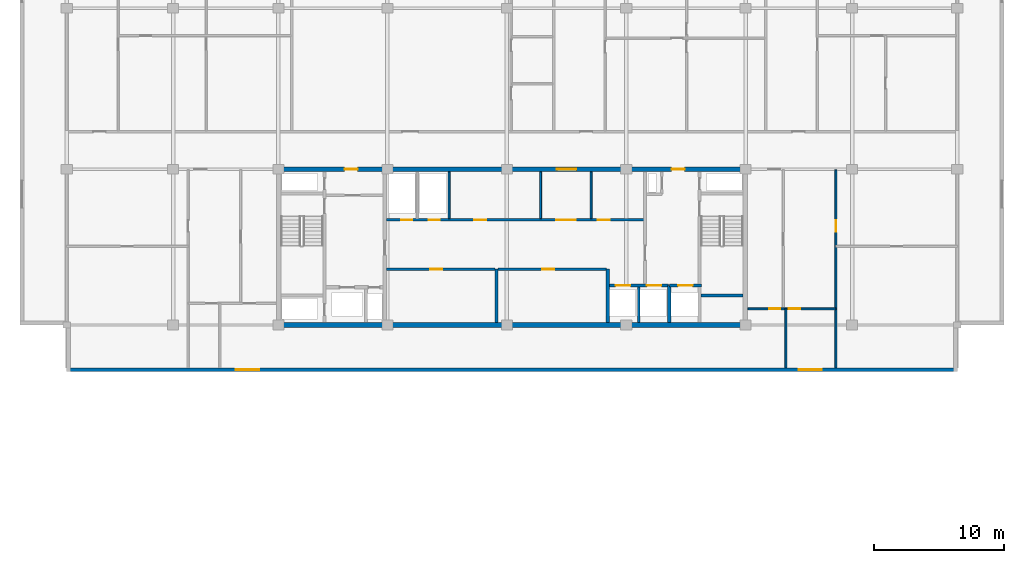
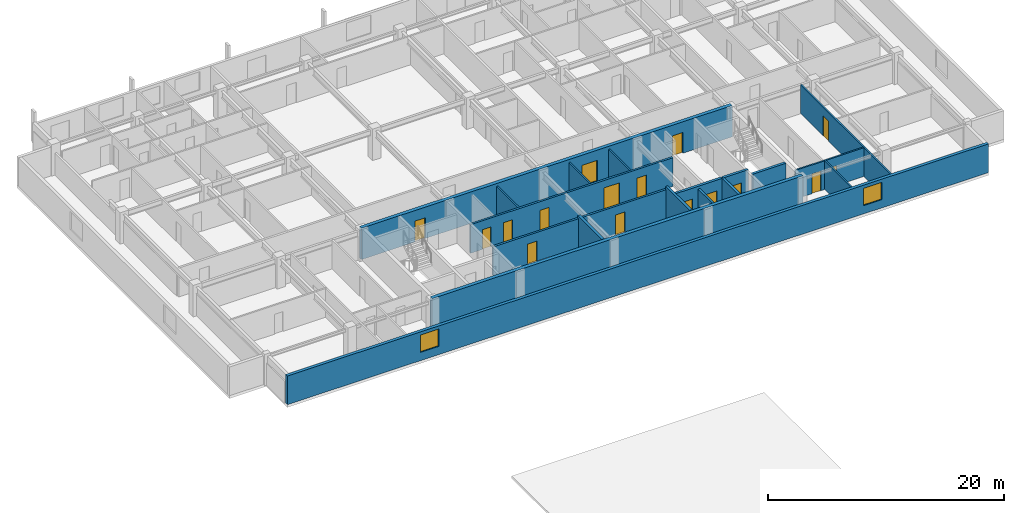
# One storey, part 4 of 11: 19 walls, 16 doors, 2 windows, 18 openings.
"""IFC4 building model written with IfcOpenShell, lengths in metres."""

from ifc_helpers import new_model, si_unit, direction, frame, frame_2d, origin, place, context, subcontext, project, spatial, rectangle, extrude, material, layer, layer_set, type_object, element, fill, save


model = new_model("IFC4")

# Units and contexts
model_context = context("Model", 3, precision=1e-05, world=origin(), true_north=direction((0.0, 1.0)))
body_context = subcontext(model_context, "Body", "Model", "MODEL_VIEW")
ifc_project = project(units=[si_unit("LENGTHUNIT", "METRE"), si_unit("AREAUNIT", "SQUARE_METRE"), si_unit("VOLUMEUNIT", "CUBIC_METRE"), si_unit("PLANEANGLEUNIT", "RADIAN"), si_unit("MASSUNIT", "GRAM", prefix="KILO")], contexts=[model_context])

# Site, building, storey
site_placement = place(None, origin())
site = spatial("IfcSite", under=ifc_project, at=site_placement, CompositionType="ELEMENT")
building_placement = place(site_placement, origin())
building = spatial("IfcBuilding", under=site, at=building_placement, Name="Korimba Cascade Residences", CompositionType="ELEMENT")
storey_placement = place(building_placement, frame((0.0, 0.0, 217.35009765625)))
storey = spatial("IfcBuildingStorey", under=building, at=storey_placement, Name="L63", CompositionType="ELEMENT", Elevation=217.35009765625)

# Wall, openings, windows
ifc_material_1 = material(Name="Precast concrete C40/50", Category="concrete")
ifc_layer_1 = layer(ifc_material_1, 0.300048828125)
ifc_layer_set_1 = layer_set([ifc_layer_1], Name="Precast concrete C40/50")
wall_type_1 = type_object("IfcWallType", Name="EW-STONE-300", PredefinedType="STANDARD", material=ifc_layer_set_1)
wall_1_placement = place(storey_placement, frame((59.800048828125, 51.75, 0.0), z_axis=(0.0, 0.0, 1.0), x_axis=(1.0, 0.0, 0.0)))
wall_1 = element("IfcWall", 1, at=wall_1_placement, inside=storey, type_object=wall_type_1, Name="L63 T1 Perimeter Stone Wall E00", PredefinedType="STANDARD", context=body_context, shape_type="SweptSolid", body=[
    extrude(rectangle(XDim=68.599853515625, YDim=0.300048828125, at=frame_2d((34.2998046875, 0.0))), origin(), (0.0, 0.0, 1.0), 2.969970703125),
])
opening_1_placement = place(wall_1_placement, frame((13.02490234375, 0.0, 0.85009765625)))
opening_1 = element("IfcOpeningElement", 2, at=opening_1_placement, cuts=wall_1, Name="Opening W-02", PredefinedType="OPENING", context=body_context, shape_type="SweptSolid", body=[
    extrude(rectangle(XDim=1.800048828125, YDim=1.800048828125, at=frame_2d((0.89990234375, 0.89990234375))), frame((0.0, 0.16015625, 0.0), z_axis=(0.0, -1.0, 0.0), x_axis=(1.0, 0.0, 0.0)), (0.0, 0.0, 1.0), 0.320068359375),
])
opening_2_placement = place(wall_1_placement, frame((56.375, 0.0, 0.85009765625)))
opening_2 = element("IfcOpeningElement", 3, at=opening_2_placement, cuts=wall_1, Name="Opening W-02", PredefinedType="OPENING", context=body_context, shape_type="SweptSolid", body=[
    extrude(rectangle(XDim=1.800048828125, YDim=1.800048828125, at=frame_2d((0.89990234375, 0.89990234375))), frame((0.0, 0.16015625, 0.0), z_axis=(0.0, -1.0, 0.0), x_axis=(1.0, 0.0, 0.0)), (0.0, 0.0, 1.0), 0.320068359375),
])
ifc_material_2 = material(Name="Double-Glazed Aluminium Window", Category="aluminium")
window_type = type_object("IfcWindowType", Name="WIN-BED-1800", PartitioningType="SINGLE_PANEL", PredefinedType="WINDOW", material=ifc_material_2)
window_1_placement = place(opening_1_placement, origin())
window_1 = element("IfcWindow", 4, at=window_1_placement, inside=storey, type_object=window_type, Name="L63 T1 South Corner Bedroom Window 1", OverallHeight=1.800048828125, OverallWidth=1.800048828125, PartitioningType="SINGLE_PANEL", PredefinedType="WINDOW", context=body_context, shape_type="SweptSolid", body=[
    extrude(rectangle(XDim=1.800048828125, YDim=1.800048828125, at=frame_2d((0.89990234375, 0.89990234375))), frame((0.0, 0.030029296875, 0.0), z_axis=(0.0, -1.0, 0.0), x_axis=(1.0, 0.0, 0.0)), (0.0, 0.0, 1.0), 0.06005859375),
])
fill(opening_1, window_1)
window_2_placement = place(opening_2_placement, origin())
window_2 = element("IfcWindow", 5, at=window_2_placement, inside=storey, type_object=window_type, Name="L63 T1 South Corner Bedroom Window 2", OverallHeight=1.800048828125, OverallWidth=1.800048828125, PartitioningType="SINGLE_PANEL", PredefinedType="WINDOW", context=body_context, shape_type="SweptSolid", body=[
    extrude(rectangle(XDim=1.800048828125, YDim=1.800048828125, at=frame_2d((0.89990234375, 0.89990234375))), frame((0.0, 0.030029296875, 0.0), z_axis=(0.0, -1.0, 0.0), x_axis=(1.0, 0.0, 0.0)), (0.0, 0.0, 1.0), 0.06005859375),
])
fill(opening_2, window_2)

# Wall
ifc_material_3 = material(Name="Concrete C65/80", Category="concrete")
ifc_layer_2 = layer(ifc_material_3, 0.35009765625)
ifc_layer_set_2 = layer_set([ifc_layer_2], Name="Concrete C65/80")
wall_type_2 = type_object("IfcWallType", Name="WAL-CORE-350", PredefinedType="SHEAR", material=ifc_layer_set_2)
wall_2_placement = place(storey_placement, frame((75.949951171875, 55.199951171875, 0.0), z_axis=(0.0, 0.0, 1.0), x_axis=(1.0, 0.0, 0.0)))
element("IfcWall", 6, at=wall_2_placement, inside=storey, type_object=wall_type_2, Name="L63 Core Shear Wall CW-L63-T1-S", PredefinedType="SHEAR", context=body_context, shape_type="SweptSolid", body=[
    extrude(rectangle(XDim=36.300048828125, YDim=0.35009765625, at=frame_2d((18.14990234375, 0.0))), origin(), (0.0, 0.0, 1.0), 3.25),
])

# Wall, openings, doors
wall_3_placement = place(storey_placement, frame((75.949951171875, 67.199951171875, 0.0), z_axis=(0.0, 0.0, 1.0), x_axis=(1.0, 0.0, 0.0)))
wall_3 = element("IfcWall", 7, at=wall_3_placement, inside=storey, type_object=wall_type_2, Name="L63 Core Shear Wall CW-L63-T1-N", PredefinedType="SHEAR", context=body_context, shape_type="SweptSolid", body=[
    extrude(rectangle(XDim=36.300048828125, YDim=0.35009765625, at=frame_2d((18.14990234375, 0.0))), origin(), (0.0, 0.0, 1.0), 3.25),
])
opening_3_placement = place(wall_3_placement, frame((5.25, 0.0, 0.0)))
opening_3 = element("IfcOpeningElement", 8, at=opening_3_placement, cuts=wall_3, Name="Opening D-FD5", PredefinedType="OPENING", context=body_context, shape_type="SweptSolid", body=[
    extrude(rectangle(XDim=1.0, YDim=2.14990234375, at=frame_2d((0.5, 1.074951171875))), frame((0.0, 0.18505859375, 0.0), z_axis=(0.0, -1.0, 0.0), x_axis=(1.0, 0.0, 0.0)), (0.0, 0.0, 1.0), 0.3701171875),
])
opening_4_placement = place(wall_3_placement, frame((21.60009765625, 0.0, 0.0)))
opening_4 = element("IfcOpeningElement", 9, at=opening_4_placement, cuts=wall_3, Name="Opening D-FD8", PredefinedType="OPENING", context=body_context, shape_type="SweptSolid", body=[
    extrude(rectangle(XDim=1.5, YDim=2.199951171875, at=frame_2d((0.75, 1.10009765625))), frame((0.0, 0.18505859375, 0.0), z_axis=(0.0, -1.0, 0.0), x_axis=(1.0, 0.0, 0.0)), (0.0, 0.0, 1.0), 0.3701171875),
])
opening_5_placement = place(wall_3_placement, frame((30.449951171875, 0.0, 0.0)))
opening_5 = element("IfcOpeningElement", 10, at=opening_5_placement, cuts=wall_3, Name="Opening D-FD5", PredefinedType="OPENING", context=body_context, shape_type="SweptSolid", body=[
    extrude(rectangle(XDim=1.0, YDim=2.14990234375, at=frame_2d((0.5, 1.074951171875))), frame((0.0, 0.18505859375, 0.0), z_axis=(0.0, -1.0, 0.0), x_axis=(1.0, 0.0, 0.0)), (0.0, 0.0, 1.0), 0.3701171875),
])
ifc_material_4 = material(Name="Fire-Rated Acoustic Timber Vestibule Door", Category="wood")
door_type_1 = type_object("IfcDoorType", Name="DR-FD90-1000", OperationType="NOTDEFINED", PredefinedType="DOOR", material=ifc_material_4)
door_1_placement = place(opening_3_placement, origin())
door_1 = element("IfcDoor", 11, at=door_1_placement, inside=storey, type_object=door_type_1, Name="L63 T1 West Core Vestibule Fire Door", OperationType="SINGLE_SWING_RIGHT", OverallHeight=2.14990234375, OverallWidth=1.0, PredefinedType="DOOR", context=body_context, shape_type="SweptSolid", body=[
    extrude(rectangle(XDim=1.0, YDim=2.14990234375, at=frame_2d((0.5, 1.074951171875))), frame((0.0, 0.02490234375, 0.0), z_axis=(0.0, -1.0, 0.0), x_axis=(1.0, 0.0, 0.0)), (0.0, 0.0, 1.0), 0.050048828125),
])
fill(opening_3, door_1)
door_2_placement = place(opening_5_placement, origin())
door_2 = element("IfcDoor", 12, at=door_2_placement, inside=storey, type_object=door_type_1, Name="L63 T1 East Firefighting Vestibule Fire Door", OperationType="SINGLE_SWING_LEFT", OverallHeight=2.14990234375, OverallWidth=1.0, PredefinedType="DOOR", context=body_context, shape_type="SweptSolid", body=[
    extrude(rectangle(XDim=1.0, YDim=2.14990234375, at=frame_2d((0.5, 1.074951171875))), frame((0.0, 0.02490234375, 0.0), z_axis=(0.0, -1.0, 0.0), x_axis=(1.0, 0.0, 0.0)), (0.0, 0.0, 1.0), 0.050048828125),
])
fill(opening_5, door_2)
ifc_material_5 = material(Name="Fire-Rated Glazed Lift Lobby Double Door", Category="glass")
door_type_2 = type_object("IfcDoorType", Name="DR-FD90-1500", OperationType="NOTDEFINED", PredefinedType="DOOR", material=ifc_material_5)
door_3_placement = place(opening_4_placement, origin())
door_3 = element("IfcDoor", 13, at=door_3_placement, inside=storey, type_object=door_type_2, Name="L63 T1 Lift Lobby Fire Door", OperationType="DOUBLE_DOOR_SINGLE_SWING", OverallHeight=2.199951171875, OverallWidth=1.5, PredefinedType="DOOR", context=body_context, shape_type="SweptSolid", body=[
    extrude(rectangle(XDim=1.5, YDim=2.199951171875, at=frame_2d((0.75, 1.10009765625))), frame((0.0, 0.02490234375, 0.0), z_axis=(0.0, -1.0, 0.0), x_axis=(1.0, 0.0, 0.0)), (0.0, 0.0, 1.0), 0.050048828125),
])
fill(opening_4, door_3)

# Walls
ifc_material_6 = material(Name="Insulated Acoustic Stud Partition", Category="gypsum")
ifc_layer_3 = layer(ifc_material_6, 0.14990234375)
ifc_layer_set_3 = layer_set([ifc_layer_3], Name="Insulated Acoustic Stud Partition")
wall_type_3 = type_object("IfcWallType", Name="WAL-PART-150", PredefinedType="PARTITIONING", material=ifc_layer_set_3)
for number, where, z_axis, x_axis, name in (
    (14, (89.25, 63.39990234375, 0.0), (0.0, 0.0, 1.0), (0.0, 1.0, 0.0), "L63 Partition Wall CW-L63-T1-PRDIV"),
    (15, (96.300048828125, 63.39990234375, 0.0), (0.0, 0.0, 1.0), (0.0, 1.0, 0.0), "L63 Partition Wall CW-L63-T1-THW"),
    (16, (100.199951171875, 63.39990234375, 0.0), (0.0, 0.0, 1.0), (0.0, 1.0, 0.0), "L63 Partition Wall CW-L63-T1-THE"),
):
    element("IfcWall", number, at=place(storey_placement, frame(where, z_axis=z_axis, x_axis=x_axis)), inside=storey, type_object=wall_type_3, Name=name, PredefinedType="PARTITIONING", context=body_context, shape_type="SweptSolid", body=[
        extrude(rectangle(XDim=3.60009765625, YDim=0.14990234375, at=frame_2d((1.800048828125, 0.0))), origin(), (0.0, 0.0, 1.0), 2.969970703125),
    ])

# Wall, opening, door
wall_4_placement = place(storey_placement, frame((119.050048828125, 51.89990234375, 0.0), z_axis=(0.0, 0.0, 1.0), x_axis=(0.0, 1.0, 0.0)))
wall_4 = element("IfcWall", 17, at=wall_4_placement, inside=storey, type_object=wall_type_3, Name="L63 Partition Wall WAL-L63-T1-FE-STV", PredefinedType="PARTITIONING", context=body_context, shape_type="SweptSolid", body=[
    extrude(rectangle(XDim=15.25, YDim=0.14990234375, at=frame_2d((7.625, 0.0))), origin(), (0.0, 0.0, 1.0), 2.969970703125),
])
opening_6_placement = place(wall_4_placement, frame((10.5, 0.0, 0.0)))
opening_6 = element("IfcOpeningElement", 18, at=opening_6_placement, cuts=wall_4, Name="Opening D-IN2", PredefinedType="OPENING", context=body_context, shape_type="SweptSolid", body=[
    extrude(rectangle(XDim=0.8798828125, YDim=2.06005859375, at=frame_2d((0.43994140625, 1.030029296875))), frame((0.0, 0.0849609375, 0.0), z_axis=(0.0, -1.0, 0.0), x_axis=(1.0, 0.0, 0.0)), (0.0, 0.0, 1.0), 0.169921875),
])
ifc_material_7 = material(Name="Acoustic Timber Bedroom Door", Category="wood")
door_type_3 = type_object("IfcDoorType", Name="DR-INT-880", OperationType="NOTDEFINED", PredefinedType="DOOR", material=ifc_material_7)
door_4_placement = place(opening_6_placement, origin())
door_4 = element("IfcDoor", 19, at=door_4_placement, inside=storey, type_object=door_type_3, Name="L63-T1-FE Study Door", OperationType="SINGLE_SWING_LEFT", OverallHeight=2.06005859375, OverallWidth=0.8798828125, PredefinedType="DOOR", context=body_context, shape_type="SweptSolid", body=[
    extrude(rectangle(XDim=0.8798828125, YDim=2.06005859375, at=frame_2d((0.43994140625, 1.030029296875))), frame((0.0, 0.02490234375, 0.0), z_axis=(0.0, -1.0, 0.0), x_axis=(1.0, 0.0, 0.0)), (0.0, 0.0, 1.0), 0.050048828125),
])
fill(opening_6, door_4)

# Wall
wall_5_placement = place(storey_placement, frame((115.199951171875, 51.89990234375, 0.0), z_axis=(0.0, 0.0, 1.0), x_axis=(0.0, 1.0, 0.0)))
element("IfcWall", 20, at=wall_5_placement, inside=storey, type_object=wall_type_3, Name="L63 Partition Wall WAL-L63-T1-FE-VS", PredefinedType="PARTITIONING", context=body_context, shape_type="SweptSolid", body=[
    extrude(rectangle(XDim=4.550048828125, YDim=0.14990234375, at=frame_2d((2.27490234375, 0.0))), origin(), (0.0, 0.0, 1.0), 2.969970703125),
])

# Wall, openings, doors
wall_6_placement = place(storey_placement, frame((112.27001953125, 56.449951171875, 0.0), z_axis=(0.0, 0.0, 1.0), x_axis=(1.0, 0.0, 0.0)))
wall_6 = element("IfcWall", 21, at=wall_6_placement, inside=storey, type_object=wall_type_3, Name="L63 Partition Wall WAL-L63-T1-FE-H", PredefinedType="PARTITIONING", context=body_context, shape_type="SweptSolid", body=[
    extrude(rectangle(XDim=6.760009765625, YDim=0.14990234375, at=frame_2d((3.3798828125, 0.0))), origin(), (0.0, 0.0, 1.0), 2.969970703125),
])
opening_7_placement = place(wall_6_placement, frame((1.6396484375, 0.0, 0.0)))
opening_7 = element("IfcOpeningElement", 22, at=opening_7_placement, cuts=wall_6, Name="Opening D-BT1", PredefinedType="OPENING", context=body_context, shape_type="SweptSolid", body=[
    extrude(rectangle(XDim=0.840087890625, YDim=2.0400390625, at=frame_2d((0.419921875, 1.02001953125))), frame((0.0, 0.0849609375, 0.0), z_axis=(0.0, -1.0, 0.0), x_axis=(1.0, 0.0, 0.0)), (0.0, 0.0, 1.0), 0.169921875),
])
opening_8_placement = place(wall_6_placement, frame((3.160400390625, 0.0, 0.0)))
opening_8 = element("IfcOpeningElement", 23, at=opening_8_placement, cuts=wall_6, Name="Opening D-IN2", PredefinedType="OPENING", context=body_context, shape_type="SweptSolid", body=[
    extrude(rectangle(XDim=0.8798828125, YDim=2.06005859375, at=frame_2d((0.43994140625, 1.030029296875))), frame((0.0, 0.0849609375, 0.0), z_axis=(0.0, -1.0, 0.0), x_axis=(1.0, 0.0, 0.0)), (0.0, 0.0, 1.0), 0.169921875),
])
ifc_material_8 = material(Name="Moisture-Resistant Bathroom Timber Door", Category="wood")
door_type_4 = type_object("IfcDoorType", Name="DR-INT-850", OperationType="NOTDEFINED", PredefinedType="DOOR", material=ifc_material_8)
door_5_placement = place(opening_7_placement, origin())
door_5 = element("IfcDoor", 24, at=door_5_placement, inside=storey, type_object=door_type_4, Name="L63-T1-FE Bathroom Door", OperationType="SINGLE_SWING_LEFT", OverallHeight=2.0400390625, OverallWidth=0.840087890625, PredefinedType="DOOR", context=body_context, shape_type="SweptSolid", body=[
    extrude(rectangle(XDim=0.840087890625, YDim=2.0400390625, at=frame_2d((0.419921875, 1.02001953125))), frame((0.0, 0.02490234375, 0.0), z_axis=(0.0, -1.0, 0.0), x_axis=(1.0, 0.0, 0.0)), (0.0, 0.0, 1.0), 0.050048828125),
])
fill(opening_7, door_5)
door_6_placement = place(opening_8_placement, origin())
door_6 = element("IfcDoor", 25, at=door_6_placement, inside=storey, type_object=door_type_3, Name="L63-T1-FE Bedroom Door", OperationType="SINGLE_SWING_RIGHT", OverallHeight=2.06005859375, OverallWidth=0.8798828125, PredefinedType="DOOR", context=body_context, shape_type="SweptSolid", body=[
    extrude(rectangle(XDim=0.8798828125, YDim=2.06005859375, at=frame_2d((0.43994140625, 1.030029296875))), frame((0.0, 0.02490234375, 0.0), z_axis=(0.0, -1.0, 0.0), x_axis=(1.0, 0.0, 0.0)), (0.0, 0.0, 1.0), 0.050048828125),
])
fill(opening_8, door_6)

# Wall, opening, door
ifc_material_9 = material(Name="Concrete C40/50", Category="concrete")
ifc_layer_4 = layer(ifc_material_9, 0.199951171875)
ifc_layer_set_4 = layer_set([ifc_layer_4], Name="Concrete C40/50")
wall_type_4 = type_object("IfcWallType", Name="WAL-PART-200", PredefinedType="PARTITIONING", material=ifc_layer_set_4)
wall_7_placement = place(storey_placement, frame((84.419921875, 59.5, 0.0), z_axis=(0.0, 0.0, 1.0), x_axis=(1.0, 0.0, 0.0)))
wall_7 = element("IfcWall", 26, at=wall_7_placement, inside=storey, type_object=wall_type_4, Name="L63 Partition Wall CW-L63-T1-B1RN", PredefinedType="PARTITIONING", context=body_context, shape_type="SweptSolid", body=[
    extrude(rectangle(XDim=8.360107421875, YDim=0.199951171875, at=frame_2d((4.18017578125, 0.0))), origin(), (0.0, 0.0, 1.0), 2.969970703125),
])
opening_9_placement = place(wall_7_placement, frame((3.39990234375, 0.0, 0.0)))
opening_9 = element("IfcOpeningElement", 27, at=opening_9_placement, cuts=wall_7, Name="Opening D-ST1", PredefinedType="OPENING", context=body_context, shape_type="SweptSolid", body=[
    extrude(rectangle(XDim=0.919921875, YDim=2.080078125, at=frame_2d((0.4599609375, 1.0400390625))), frame((0.0, 0.10986328125, 0.0), z_axis=(0.0, -1.0, 0.0), x_axis=(1.0, 0.0, 0.0)), (0.0, 0.0, 1.0), 0.219970703125),
])
ifc_material_10 = material(Name="Fire-Rated Core Store Door", Category="wood")
door_type_5 = type_object("IfcDoorType", Name="DR-FD60-920", OperationType="NOTDEFINED", PredefinedType="DOOR", material=ifc_material_10)
door_7_placement = place(opening_9_placement, origin())
door_7 = element("IfcDoor", 28, at=door_7_placement, inside=storey, type_object=door_type_5, Name="L63 Resident Storage Door", OperationType="SINGLE_SWING_RIGHT", OverallHeight=2.080078125, OverallWidth=0.919921875, PredefinedType="DOOR", context=body_context, shape_type="SweptSolid", body=[
    extrude(rectangle(XDim=0.919921875, YDim=2.080078125, at=frame_2d((0.4599609375, 1.0400390625))), frame((0.0, 0.02490234375, 0.0), z_axis=(0.0, -1.0, 0.0), x_axis=(1.0, 0.0, 0.0)), (0.0, 0.0, 1.0), 0.050048828125),
])
fill(opening_9, door_7)

wall_8_placement = place(storey_placement, frame((93.02001953125, 59.5, 0.0), z_axis=(0.0, 0.0, 1.0), x_axis=(1.0, 0.0, 0.0)))
wall_8 = element("IfcWall", 29, at=wall_8_placement, inside=storey, type_object=wall_type_4, Name="L63 Partition Wall CW-L63-T1-B2RN", PredefinedType="PARTITIONING", context=body_context, shape_type="SweptSolid", body=[
    extrude(rectangle(XDim=8.35986328125, YDim=0.199951171875, at=frame_2d((4.179931640625, 0.0))), origin(), (0.0, 0.0, 1.0), 2.969970703125),
])
opening_10_placement = place(wall_8_placement, frame((3.39990234375, 0.0, 0.0)))
opening_10 = element("IfcOpeningElement", 30, at=opening_10_placement, cuts=wall_8, Name="Opening D-ST1", PredefinedType="OPENING", context=body_context, shape_type="SweptSolid", body=[
    extrude(rectangle(XDim=0.919921875, YDim=2.080078125, at=frame_2d((0.4599609375, 1.0400390625))), frame((0.0, 0.10986328125, 0.0), z_axis=(0.0, -1.0, 0.0), x_axis=(1.0, 0.0, 0.0)), (0.0, 0.0, 1.0), 0.219970703125),
])
door_8_placement = place(opening_10_placement, origin())
door_8 = element("IfcDoor", 31, at=door_8_placement, inside=storey, type_object=door_type_5, Name="L63 Wine Cellar Store Door", OperationType="SINGLE_SWING_LEFT", OverallHeight=2.080078125, OverallWidth=0.919921875, PredefinedType="DOOR", context=body_context, shape_type="SweptSolid", body=[
    extrude(rectangle(XDim=0.919921875, YDim=2.080078125, at=frame_2d((0.4599609375, 1.0400390625))), frame((0.0, 0.02490234375, 0.0), z_axis=(0.0, -1.0, 0.0), x_axis=(1.0, 0.0, 0.0)), (0.0, 0.0, 1.0), 0.050048828125),
])
fill(opening_10, door_8)

# Wall
wall_9_placement = place(storey_placement, frame((103.85009765625, 55.39990234375, 0.0), z_axis=(0.0, 0.0, 1.0), x_axis=(0.0, 1.0, 0.0)))
element("IfcWall", 32, at=wall_9_placement, inside=storey, type_object=wall_type_4, Name="L63 Partition Wall CW-L63-T1-B3D1", PredefinedType="PARTITIONING", context=body_context, shape_type="SweptSolid", body=[
    extrude(rectangle(XDim=2.72021484375, YDim=0.199951171875, at=frame_2d((1.360107421875, 0.0))), origin(), (0.0, 0.0, 1.0), 2.969970703125),
])

# Wall, openings, doors
wall_10_placement = place(storey_placement, frame((84.419921875, 63.300048828125, 0.0), z_axis=(0.0, 0.0, 1.0), x_axis=(1.0, 0.0, 0.0)))
wall_10 = element("IfcWall", 33, at=wall_10_placement, inside=storey, type_object=wall_type_4, Name="L63 Partition Wall CW-L63-T1-SRVROW", PredefinedType="PARTITIONING", context=body_context, shape_type="SweptSolid", body=[
    extrude(rectangle(XDim=19.830078125, YDim=0.199951171875, at=frame_2d((9.9150390625, 0.0))), origin(), (0.0, 0.0, 1.0), 2.969970703125),
])
opening_11_placement = place(wall_10_placement, frame((1.14990234375, 0.0, 0.0)))
opening_11 = element("IfcOpeningElement", 34, at=opening_11_placement, cuts=wall_10, Name="Opening D-RS1", PredefinedType="OPENING", context=body_context, shape_type="SweptSolid", body=[
    extrude(rectangle(XDim=0.85009765625, YDim=2.050048828125, at=frame_2d((0.425048828125, 1.02490234375))), frame((0.0, 0.10986328125, 0.0), z_axis=(0.0, -1.0, 0.0), x_axis=(1.0, 0.0, 0.0)), (0.0, 0.0, 1.0), 0.219970703125),
])
opening_12_placement = place(wall_10_placement, frame((3.25, 0.0, 0.0)))
opening_12 = element("IfcOpeningElement", 35, at=opening_12_placement, cuts=wall_10, Name="Opening D-RS1", PredefinedType="OPENING", context=body_context, shape_type="SweptSolid", body=[
    extrude(rectangle(XDim=0.85009765625, YDim=2.050048828125, at=frame_2d((0.425048828125, 1.02490234375))), frame((0.0, 0.10986328125, 0.0), z_axis=(0.0, -1.0, 0.0), x_axis=(1.0, 0.0, 0.0)), (0.0, 0.0, 1.0), 0.219970703125),
])
opening_13_placement = place(wall_10_placement, frame((13.080078125, 0.0, 0.0)))
opening_13 = element("IfcOpeningElement", 36, at=opening_13_placement, cuts=wall_10, Name="Opening D-FD8", PredefinedType="OPENING", context=body_context, shape_type="SweptSolid", body=[
    extrude(rectangle(XDim=1.5, YDim=2.199951171875, at=frame_2d((0.75, 1.10009765625))), frame((0.0, 0.10986328125, 0.0), z_axis=(0.0, -1.0, 0.0), x_axis=(1.0, 0.0, 0.0)), (0.0, 0.0, 1.0), 0.219970703125),
])
opening_14_placement = place(wall_10_placement, frame((6.780029296875, 0.0, 0.0)))
opening_14 = element("IfcOpeningElement", 37, at=opening_14_placement, cuts=wall_10, Name="Opening D-IN1", PredefinedType="OPENING", context=body_context, shape_type="SweptSolid", body=[
    extrude(rectangle(XDim=0.919921875, YDim=2.080078125, at=frame_2d((0.4599609375, 1.0400390625))), frame((0.0, 0.10986328125, 0.0), z_axis=(0.0, -1.0, 0.0), x_axis=(1.0, 0.0, 0.0)), (0.0, 0.0, 1.0), 0.219970703125),
])
opening_15_placement = place(wall_10_placement, frame((16.280029296875, 0.0, 0.0)))
opening_15 = element("IfcOpeningElement", 38, at=opening_15_placement, cuts=wall_10, Name="Opening D-IN1", PredefinedType="OPENING", context=body_context, shape_type="SweptSolid", body=[
    extrude(rectangle(XDim=0.919921875, YDim=2.080078125, at=frame_2d((0.4599609375, 1.0400390625))), frame((0.0, 0.10986328125, 0.0), z_axis=(0.0, -1.0, 0.0), x_axis=(1.0, 0.0, 0.0)), (0.0, 0.0, 1.0), 0.219970703125),
])
ifc_material_11 = material(Name="Fire-Rated Steel Riser Access Door", Category="steel")
door_type_6 = type_object("IfcDoorType", Name="DR-FD60-850", OperationType="NOTDEFINED", PredefinedType="DOOR", material=ifc_material_11)
door_9_placement = place(opening_11_placement, origin())
door_9 = element("IfcDoor", 39, at=door_9_placement, inside=storey, type_object=door_type_6, Name="L63 Electrical Riser Door", OperationType="SINGLE_SWING_RIGHT", OverallHeight=2.050048828125, OverallWidth=0.85009765625, PredefinedType="DOOR", context=body_context, shape_type="SweptSolid", body=[
    extrude(rectangle(XDim=0.85009765625, YDim=2.050048828125, at=frame_2d((0.425048828125, 1.02490234375))), frame((0.0, 0.02490234375, 0.0), z_axis=(0.0, -1.0, 0.0), x_axis=(1.0, 0.0, 0.0)), (0.0, 0.0, 1.0), 0.050048828125),
])
fill(opening_11, door_9)
door_10_placement = place(opening_12_placement, origin())
door_10 = element("IfcDoor", 40, at=door_10_placement, inside=storey, type_object=door_type_6, Name="L63 Plumbing Riser Door", OperationType="SINGLE_SWING_LEFT", OverallHeight=2.050048828125, OverallWidth=0.85009765625, PredefinedType="DOOR", context=body_context, shape_type="SweptSolid", body=[
    extrude(rectangle(XDim=0.85009765625, YDim=2.050048828125, at=frame_2d((0.425048828125, 1.02490234375))), frame((0.0, 0.02490234375, 0.0), z_axis=(0.0, -1.0, 0.0), x_axis=(1.0, 0.0, 0.0)), (0.0, 0.0, 1.0), 0.050048828125),
])
fill(opening_12, door_10)
door_11_placement = place(opening_13_placement, origin())
door_11 = element("IfcDoor", 41, at=door_11_placement, inside=storey, type_object=door_type_2, Name="L63 Lift Lobby Foyer Archway Door", OperationType="DOUBLE_DOOR_SINGLE_SWING", OverallHeight=2.199951171875, OverallWidth=1.5, PredefinedType="DOOR", context=body_context, shape_type="SweptSolid", body=[
    extrude(rectangle(XDim=1.5, YDim=2.199951171875, at=frame_2d((0.75, 1.10009765625))), frame((0.0, 0.02490234375, 0.0), z_axis=(0.0, -1.0, 0.0), x_axis=(1.0, 0.0, 0.0)), (0.0, 0.0, 1.0), 0.050048828125),
])
fill(opening_13, door_11)
ifc_material_12 = material(Name="Acoustic Timber Living Door", Category="wood")
door_type_7 = type_object("IfcDoorType", Name="DR-INT-920", OperationType="NOTDEFINED", PredefinedType="DOOR", material=ifc_material_12)
door_12_placement = place(opening_14_placement, origin())
door_12 = element("IfcDoor", 42, at=door_12_placement, inside=storey, type_object=door_type_7, Name="L63 Housekeeping Door", OperationType="SINGLE_SWING_RIGHT", OverallHeight=2.080078125, OverallWidth=0.919921875, PredefinedType="DOOR", context=body_context, shape_type="SweptSolid", body=[
    extrude(rectangle(XDim=0.919921875, YDim=2.080078125, at=frame_2d((0.4599609375, 1.0400390625))), frame((0.0, 0.02490234375, 0.0), z_axis=(0.0, -1.0, 0.0), x_axis=(1.0, 0.0, 0.0)), (0.0, 0.0, 1.0), 0.050048828125),
])
fill(opening_14, door_12)
door_13_placement = place(opening_15_placement, origin())
door_13 = element("IfcDoor", 43, at=door_13_placement, inside=storey, type_object=door_type_7, Name="L63 Store Door", OperationType="SINGLE_SWING_LEFT", OverallHeight=2.080078125, OverallWidth=0.919921875, PredefinedType="DOOR", context=body_context, shape_type="SweptSolid", body=[
    extrude(rectangle(XDim=0.919921875, YDim=2.080078125, at=frame_2d((0.4599609375, 1.0400390625))), frame((0.0, 0.02490234375, 0.0), z_axis=(0.0, -1.0, 0.0), x_axis=(1.0, 0.0, 0.0)), (0.0, 0.0, 1.0), 0.050048828125),
])
fill(opening_15, door_13)

# Walls
ifc_material_13 = material(Name="Concrete C50/60", Category="concrete")
ifc_layer_5 = layer(ifc_material_13, 0.25)
ifc_layer_set_5 = layer_set([ifc_layer_5], Name="Concrete C50/60")
wall_type_5 = type_object("IfcWallType", Name="WAL-SHAFT-250", PredefinedType="SHEAR", material=ifc_layer_set_5)
for number, where, z_axis, x_axis, name in (
    (44, (92.89990234375, 55.39990234375, 0.0), (0.0, 0.0, 1.0), (0.0, 1.0, 0.0), "L63 Core Shear Wall CW-L63-T1-B12DIV"),
    (45, (101.47998046875, 55.39990234375, 0.0), (0.0, 0.0, 1.0), (0.0, 1.0, 0.0), "L63 Core Shear Wall CW-L63-T1-B23DIV"),
):
    element("IfcWall", number, at=place(storey_placement, frame(where, z_axis=z_axis, x_axis=x_axis)), inside=storey, type_object=wall_type_5, Name=name, PredefinedType="SHEAR", context=body_context, shape_type="SweptSolid", body=[
        extrude(rectangle(XDim=4.10009765625, YDim=0.25, at=frame_2d((2.050048828125, 0.0))), origin(), (0.0, 0.0, 1.0), 3.25),
    ])

# Wall, openings, doors
wall_11_placement = place(storey_placement, frame((101.550048828125, 58.25, 0.0), z_axis=(0.0, 0.0, 1.0), x_axis=(1.0, 0.0, 0.0)))
wall_11 = element("IfcWall", 46, at=wall_11_placement, inside=storey, type_object=wall_type_5, Name="L63 Core Shear Wall CW-L63-T1-B3N", PredefinedType="SHEAR", context=body_context, shape_type="SweptSolid", body=[
    extrude(rectangle(XDim=4.599853515625, YDim=0.25, at=frame_2d((2.2998046875, 0.0))), origin(), (0.0, 0.0, 1.0), 3.25),
])
opening_16_placement = place(wall_11_placement, frame((0.5400390625, 0.0, 0.0)))
opening_16 = element("IfcOpeningElement", 47, at=opening_16_placement, cuts=wall_11, Name="Opening LD-01", PredefinedType="OPENING", context=body_context, shape_type="SweptSolid", body=[
    extrude(rectangle(XDim=1.1201171875, YDim=2.1201171875, at=frame_2d((0.56005859375, 1.06005859375))), frame((0.0, 0.135009765625, 0.0), z_axis=(0.0, -1.0, 0.0), x_axis=(1.0, 0.0, 0.0)), (0.0, 0.0, 1.0), 0.27001953125),
])
opening_17_placement = place(wall_11_placement, frame((2.93994140625, 0.0, 0.0)))
opening_17 = element("IfcOpeningElement", 48, at=opening_17_placement, cuts=wall_11, Name="Opening LD-01", PredefinedType="OPENING", context=body_context, shape_type="SweptSolid", body=[
    extrude(rectangle(XDim=1.1201171875, YDim=2.1201171875, at=frame_2d((0.56005859375, 1.06005859375))), frame((0.0, 0.135009765625, 0.0), z_axis=(0.0, -1.0, 0.0), x_axis=(1.0, 0.0, 0.0)), (0.0, 0.0, 1.0), 0.27001953125),
])
ifc_material_14 = material(Name="Stainless Steel Lift Landing Sliding Door", Category="steel")
door_type_8 = type_object("IfcDoorType", Name="DR-LIFT-1100", OperationType="NOTDEFINED", PredefinedType="DOOR", material=ifc_material_14)
door_14_placement = place(opening_16_placement, origin())
door_14 = element("IfcDoor", 49, at=door_14_placement, inside=storey, type_object=door_type_8, Name="L63 Lift Landing Door PL-W7", OperationType="SLIDING_TO_LEFT", OverallHeight=2.1201171875, OverallWidth=1.1201171875, PredefinedType="DOOR", context=body_context, shape_type="SweptSolid", body=[
    extrude(rectangle(XDim=1.1201171875, YDim=2.1201171875, at=frame_2d((0.56005859375, 1.06005859375))), frame((0.0, 0.02490234375, 0.0), z_axis=(0.0, -1.0, 0.0), x_axis=(1.0, 0.0, 0.0)), (0.0, 0.0, 1.0), 0.050048828125),
])
fill(opening_16, door_14)
door_15_placement = place(opening_17_placement, origin())
door_15 = element("IfcDoor", 50, at=door_15_placement, inside=storey, type_object=door_type_8, Name="L63 Lift Landing Door PL-W8", OperationType="SLIDING_TO_LEFT", OverallHeight=2.1201171875, OverallWidth=1.1201171875, PredefinedType="DOOR", context=body_context, shape_type="SweptSolid", body=[
    extrude(rectangle(XDim=1.1201171875, YDim=2.1201171875, at=frame_2d((0.56005859375, 1.06005859375))), frame((0.0, 0.02490234375, 0.0), z_axis=(0.0, -1.0, 0.0), x_axis=(1.0, 0.0, 0.0)), (0.0, 0.0, 1.0), 0.050048828125),
])
fill(opening_17, door_15)

# Wall
wall_12_placement = place(storey_placement, frame((106.219970703125, 55.39990234375, 0.0), z_axis=(0.0, 0.0, 1.0), x_axis=(0.0, 1.0, 0.0)))
element("IfcWall", 51, at=wall_12_placement, inside=storey, type_object=wall_type_5, Name="L63 Core Shear Wall CW-L63-T1-FF2W", PredefinedType="SHEAR", context=body_context, shape_type="SweptSolid", body=[
    extrude(rectangle(XDim=2.85009765625, YDim=0.25, at=frame_2d((1.425048828125, 0.0))), origin(), (0.0, 0.0, 1.0), 3.25),
])

# Wall, opening, door
wall_13_placement = place(storey_placement, frame((106.219970703125, 58.25, 0.0), z_axis=(0.0, 0.0, 1.0), x_axis=(1.0, 0.0, 0.0)))
wall_13 = element("IfcWall", 52, at=wall_13_placement, inside=storey, type_object=wall_type_5, Name="L63 Core Shear Wall CW-L63-T1-FF2N", PredefinedType="SHEAR", context=body_context, shape_type="SweptSolid", body=[
    extrude(rectangle(XDim=2.4599609375, YDim=0.25, at=frame_2d((1.22998046875, 0.0))), origin(), (0.0, 0.0, 1.0), 3.25),
])
opening_18_placement = place(wall_13_placement, frame((0.669921875, 0.0, 0.0)))
opening_18 = element("IfcOpeningElement", 53, at=opening_18_placement, cuts=wall_13, Name="Opening LD-01", PredefinedType="OPENING", context=body_context, shape_type="SweptSolid", body=[
    extrude(rectangle(XDim=1.1201171875, YDim=2.1201171875, at=frame_2d((0.56005859375, 1.06005859375))), frame((0.0, 0.135009765625, 0.0), z_axis=(0.0, -1.0, 0.0), x_axis=(1.0, 0.0, 0.0)), (0.0, 0.0, 1.0), 0.27001953125),
])
door_16_placement = place(opening_18_placement, origin())
door_16 = element("IfcDoor", 54, at=door_16_placement, inside=storey, type_object=door_type_8, Name="L63 Firefighting Lift Landing Door FFL-W2", OperationType="SLIDING_TO_RIGHT", OverallHeight=2.1201171875, OverallWidth=1.1201171875, PredefinedType="DOOR", context=body_context, shape_type="SweptSolid", body=[
    extrude(rectangle(XDim=1.1201171875, YDim=2.1201171875, at=frame_2d((0.56005859375, 1.06005859375))), frame((0.0, 0.02490234375, 0.0), z_axis=(0.0, -1.0, 0.0), x_axis=(1.0, 0.0, 0.0)), (0.0, 0.0, 1.0), 0.050048828125),
])
fill(opening_18, door_16)

# Wall
wall_14_placement = place(storey_placement, frame((108.659912109375, 57.47509765625, 0.0), z_axis=(0.0, 0.0, 1.0), x_axis=(1.0, 0.0, 0.0)))
element("IfcWall", 55, at=wall_14_placement, inside=storey, type_object=wall_type_5, Name="L63 Core Shear Wall CW-L63-T1-STW2S", PredefinedType="SHEAR", context=body_context, shape_type="SweptSolid", body=[
    extrude(rectangle(XDim=3.239990234375, YDim=0.25, at=frame_2d((1.6201171875, 0.0))), origin(), (0.0, 0.0, 1.0), 3.25),
])

save(model, "model.ifc")
